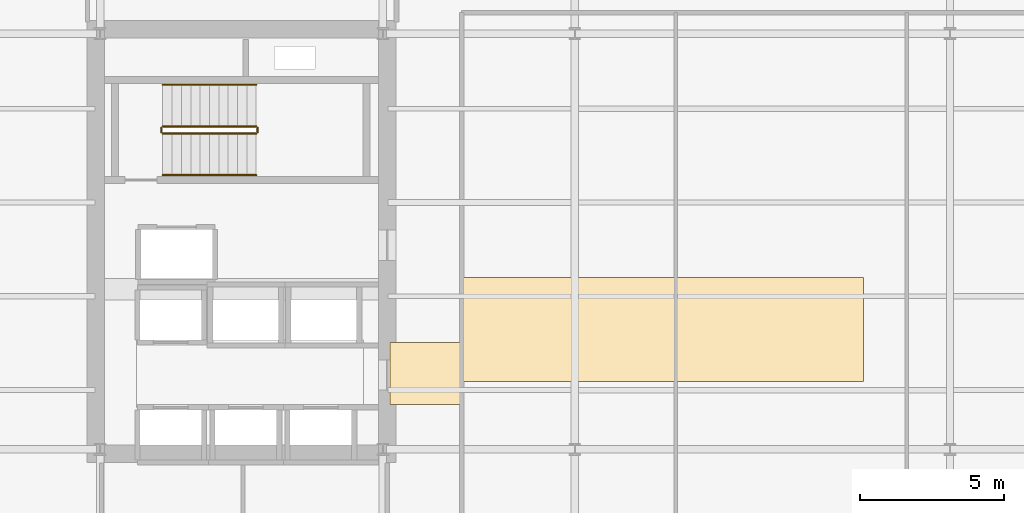
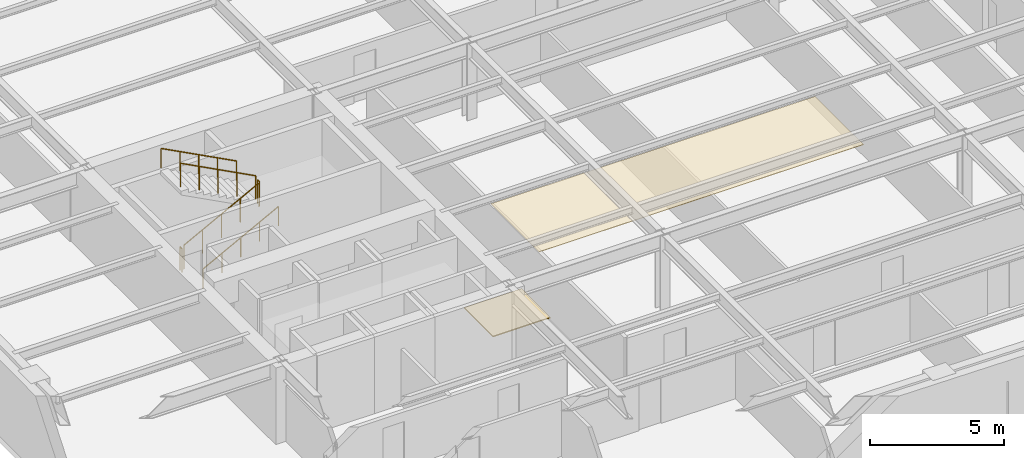
# One storey, part 9 of 11: 6 railings, 2 coverings.
"""IFC4 building model written with IfcOpenShell, lengths in metres."""

from ifc_helpers import new_model, si_unit, direction, frame, origin, origin_2d, place, context, subcontext, project, spatial, polyline, circle, outline, extrude, material, layer, layer_set, type_object, element, save


model = new_model("IFC4")

# Units and contexts
model_context = context("Model", 3, precision=1e-05, world=origin(), true_north=direction((0.0, 1.0)))
body_context = subcontext(model_context, "Body", "Model", "MODEL_VIEW")
ifc_project = project(units=[si_unit("LENGTHUNIT", "METRE"), si_unit("AREAUNIT", "SQUARE_METRE"), si_unit("VOLUMEUNIT", "CUBIC_METRE"), si_unit("PLANEANGLEUNIT", "RADIAN"), si_unit("MASSUNIT", "GRAM", prefix="KILO")], contexts=[model_context])

# Site, building, storey
site_placement = place(None, origin())
site = spatial("IfcSite", under=ifc_project, at=site_placement, CompositionType="ELEMENT")
building_placement = place(site_placement, origin())
building = spatial("IfcBuilding", under=site, at=building_placement, Name="Kolvaren Arena Tower", CompositionType="ELEMENT")
storey_placement = place(building_placement, frame((0.0, 0.0, 195.949951171875)))
storey = spatial("IfcBuildingStorey", under=building, at=storey_placement, Name="L47", CompositionType="ELEMENT", Elevation=195.949951171875)

# Coverings
ifc_material_1 = material(Name="Mineral fibre acoustic ceiling tile", Category="gypsum")
ifc_layer_1 = layer(ifc_material_1, 0.02490234375)
ifc_layer_set_1 = layer_set([ifc_layer_1], Name="Mineral fibre acoustic ceiling tile")
covering_type_1 = type_object("IfcCoveringType", Name="CEIL-ACT-1", PredefinedType="CEILING", material=ifc_layer_set_1)
covering_1_placement = place(storey_placement, frame((0.0, 0.0, 2.52001953125)))
element("IfcCovering", 1, at=covering_1_placement, inside=storey, type_object=covering_type_1, Name="Suspended Ceiling (L47)", PredefinedType="CEILING", context=body_context, shape_type="SweptSolid", body=[
    extrude(outline(polyline([(27.050048828125, 21.800048828125), (27.050048828125, 25.39990234375), (41.0, 25.39990234375), (41.0, 21.800048828125), (27.050048828125, 21.800048828125)])), origin(), (0.0, 0.0, 1.0), 0.025146484375),
])
ifc_material_2 = material(Name="Raised access office floor finish", Category="aluminium")
ifc_layer_2 = layer(ifc_material_2, 0.044921875)
ifc_layer_set_2 = layer_set([ifc_layer_2], Name="Raised access office floor finish")
covering_type_2 = type_object("IfcCoveringType", Name="FLOR-RAF-1", PredefinedType="FLOORING", material=ifc_layer_set_2)
covering_2_placement = place(storey_placement, origin())
element("IfcCovering", 2, at=covering_2_placement, inside=storey, type_object=covering_type_2, Name="Floor Finish (L47)", PredefinedType="FLOORING", context=body_context, shape_type="SweptSolid", body=[
    extrude(outline(polyline([(24.60009765625, 21.0), (24.60009765625, 23.14990234375), (27.080078125, 23.14990234375), (27.080078125, 21.0), (24.60009765625, 21.0)])), origin(), (0.0, 0.0, 1.0), 0.045166015625),
])

# Railings
ifc_material_3 = material(Name="Painted galvanized steel", Category="steel")
railing_type_1 = type_object("IfcRailingType", Name="GUARD-ST-110", PredefinedType="GUARDRAIL", material=ifc_material_3)
railing_1_placement = place(storey_placement, frame((16.719970703125, 30.389892578125, 0.17041015625)))
element("IfcRailing", 3, at=railing_1_placement, inside=storey, type_object=railing_type_1, Name="L47 ST-W1 stair guard 1", PredefinedType="GUARDRAIL", context=body_context, shape_type="SweptSolid", body=[
    extrude(circle(Radius=0.02392578125, at=origin_2d()), frame((0.0, 0.0, 1.076171875), z_axis=(0.884993431791, 0.0, 0.465603506952), x_axis=(0.0, 1.0, 0.0)), (0.0, 0.0, 1.0), 3.6611328125),
    extrude(circle(Radius=0.02099609375, at=origin_2d()), origin(), (0.0, 0.0, 1.0), 1.052001953125),
    extrude(circle(Radius=0.02099609375, at=origin_2d()), frame((0.81005859375, 0.0, 0.42626953125)), (0.0, 0.0, 1.0), 1.052001953125),
    extrude(circle(Radius=0.02099609375, at=origin_2d()), frame((1.6201171875, 0.0, 0.852294921875)), (0.0, 0.0, 1.0), 1.052001953125),
    extrude(circle(Radius=0.02099609375, at=origin_2d()), frame((2.429931640625, 0.0, 1.2783203125)), (0.0, 0.0, 1.0), 1.052001953125),
    extrude(circle(Radius=0.02099609375, at=origin_2d()), frame((3.239990234375, 0.0, 1.70458984375)), (0.0, 0.0, 1.0), 1.052001953125),
])
railing_2_placement = place(storey_placement, frame((20.010009765625, 30.43994140625, 1.875)))
element("IfcRailing", 4, at=railing_2_placement, inside=storey, type_object=railing_type_1, Name="L47 ST-W1 stair guard 2", PredefinedType="GUARDRAIL", context=body_context, shape_type="SweptSolid", body=[
    extrude(circle(Radius=0.02392578125, at=origin_2d()), frame((0.0, 0.0, 1.076171875), z_axis=(0.0, 1.0, 0.0), x_axis=(-1.0, 0.0, 0.0)), (0.0, 0.0, 1.0), 0.150146484375),
    extrude(circle(Radius=0.02099609375, at=origin_2d()), origin(), (0.0, 0.0, 1.0), 1.052001953125),
    extrude(circle(Radius=0.02099609375, at=origin_2d()), frame((0.0, 0.150146484375, 0.0)), (0.0, 0.0, 1.0), 1.052001953125),
])
railing_3_placement = place(storey_placement, frame((19.9599609375, 30.639892578125, 2.04541015625)))
element("IfcRailing", 5, at=railing_3_placement, inside=storey, type_object=railing_type_1, Name="L47 ST-W1 stair guard 3", PredefinedType="GUARDRAIL", context=body_context, shape_type="SweptSolid", body=[
    extrude(circle(Radius=0.02392578125, at=origin_2d()), frame((0.0, 0.0, 1.076171875), z_axis=(-0.884993431791, 0.0, 0.465603506952), x_axis=(0.0, -1.0, 0.0)), (0.0, 0.0, 1.0), 3.6611328125),
    extrude(circle(Radius=0.02099609375, at=origin_2d()), origin(), (0.0, 0.0, 1.0), 1.052001953125),
    extrude(circle(Radius=0.02099609375, at=origin_2d()), frame((-0.81005859375, 0.0, 0.42626953125)), (0.0, 0.0, 1.0), 1.052001953125),
    extrude(circle(Radius=0.02099609375, at=origin_2d()), frame((-1.6201171875, 0.0, 0.852294921875)), (0.0, 0.0, 1.0), 1.052001953125),
    extrude(circle(Radius=0.02099609375, at=origin_2d()), frame((-2.429931640625, 0.0, 1.2783203125)), (0.0, 0.0, 1.0), 1.052001953125),
    extrude(circle(Radius=0.02099609375, at=origin_2d()), frame((-3.239990234375, 0.0, 1.70458984375)), (0.0, 0.0, 1.0), 1.052001953125),
])
railing_4_placement = place(storey_placement, frame((16.669921875, 30.43994140625, 0.0)))
element("IfcRailing", 6, at=railing_4_placement, inside=storey, type_object=railing_type_1, Name="L47 ST-W1 stair guard 4", PredefinedType="GUARDRAIL", context=body_context, shape_type="SweptSolid", body=[
    extrude(circle(Radius=0.02392578125, at=origin_2d()), frame((0.0, 0.0, 1.076171875), z_axis=(0.0, 1.0, 0.0), x_axis=(-1.0, 0.0, 0.0)), (0.0, 0.0, 1.0), 0.150146484375),
    extrude(circle(Radius=0.02099609375, at=origin_2d()), origin(), (0.0, 0.0, 1.0), 1.052001953125),
    extrude(circle(Radius=0.02099609375, at=origin_2d()), frame((0.0, 0.150146484375, 0.0)), (0.0, 0.0, 1.0), 1.052001953125),
])
ifc_material_4 = material(Name="Brushed stainless steel handrail", Category="steel")
railing_type_2 = type_object("IfcRailingType", Name="HRAIL-900", PredefinedType="HANDRAIL", material=ifc_material_4)
railing_5_placement = place(storey_placement, frame((16.719970703125, 28.949951171875, 0.17041015625)))
element("IfcRailing", 7, at=railing_5_placement, inside=storey, type_object=railing_type_2, Name="L47 ST-W1 stair handrail 1", PredefinedType="HANDRAIL", context=body_context, shape_type="SweptSolid", body=[
    extrude(circle(Radius=0.02392578125, at=origin_2d()), frame((0.0, 0.0, 0.8759765625), z_axis=(0.884993431791, 0.0, 0.465603506952), x_axis=(0.0, 1.0, 0.0)), (0.0, 0.0, 1.0), 3.6611328125),
    extrude(circle(Radius=0.02099609375, at=origin_2d()), origin(), (0.0, 0.0, 1.0), 0.851806640625),
    extrude(circle(Radius=0.02099609375, at=origin_2d()), frame((0.81005859375, 0.0, 0.42626953125)), (0.0, 0.0, 1.0), 0.851806640625),
    extrude(circle(Radius=0.02099609375, at=origin_2d()), frame((1.6201171875, 0.0, 0.852294921875)), (0.0, 0.0, 1.0), 0.851806640625),
    extrude(circle(Radius=0.02099609375, at=origin_2d()), frame((2.429931640625, 0.0, 1.2783203125)), (0.0, 0.0, 1.0), 0.851806640625),
    extrude(circle(Radius=0.02099609375, at=origin_2d()), frame((3.239990234375, 0.0, 1.70458984375)), (0.0, 0.0, 1.0), 0.851806640625),
])
railing_6_placement = place(storey_placement, frame((19.9599609375, 32.080078125, 2.04541015625)))
element("IfcRailing", 8, at=railing_6_placement, inside=storey, type_object=railing_type_2, Name="L47 ST-W1 stair handrail 2", PredefinedType="HANDRAIL", context=body_context, shape_type="SweptSolid", body=[
    extrude(circle(Radius=0.02392578125, at=origin_2d()), frame((0.0, 0.0, 0.8759765625), z_axis=(-0.884993431791, 0.0, 0.465603506952), x_axis=(0.0, -1.0, 0.0)), (0.0, 0.0, 1.0), 3.6611328125),
    extrude(circle(Radius=0.02099609375, at=origin_2d()), origin(), (0.0, 0.0, 1.0), 0.851806640625),
    extrude(circle(Radius=0.02099609375, at=origin_2d()), frame((-0.81005859375, 0.0, 0.42626953125)), (0.0, 0.0, 1.0), 0.851806640625),
    extrude(circle(Radius=0.02099609375, at=origin_2d()), frame((-1.6201171875, 0.0, 0.852294921875)), (0.0, 0.0, 1.0), 0.851806640625),
    extrude(circle(Radius=0.02099609375, at=origin_2d()), frame((-2.429931640625, 0.0, 1.2783203125)), (0.0, 0.0, 1.0), 0.851806640625),
    extrude(circle(Radius=0.02099609375, at=origin_2d()), frame((-3.239990234375, 0.0, 1.70458984375)), (0.0, 0.0, 1.0), 0.851806640625),
])

save(model, "model.ifc")
